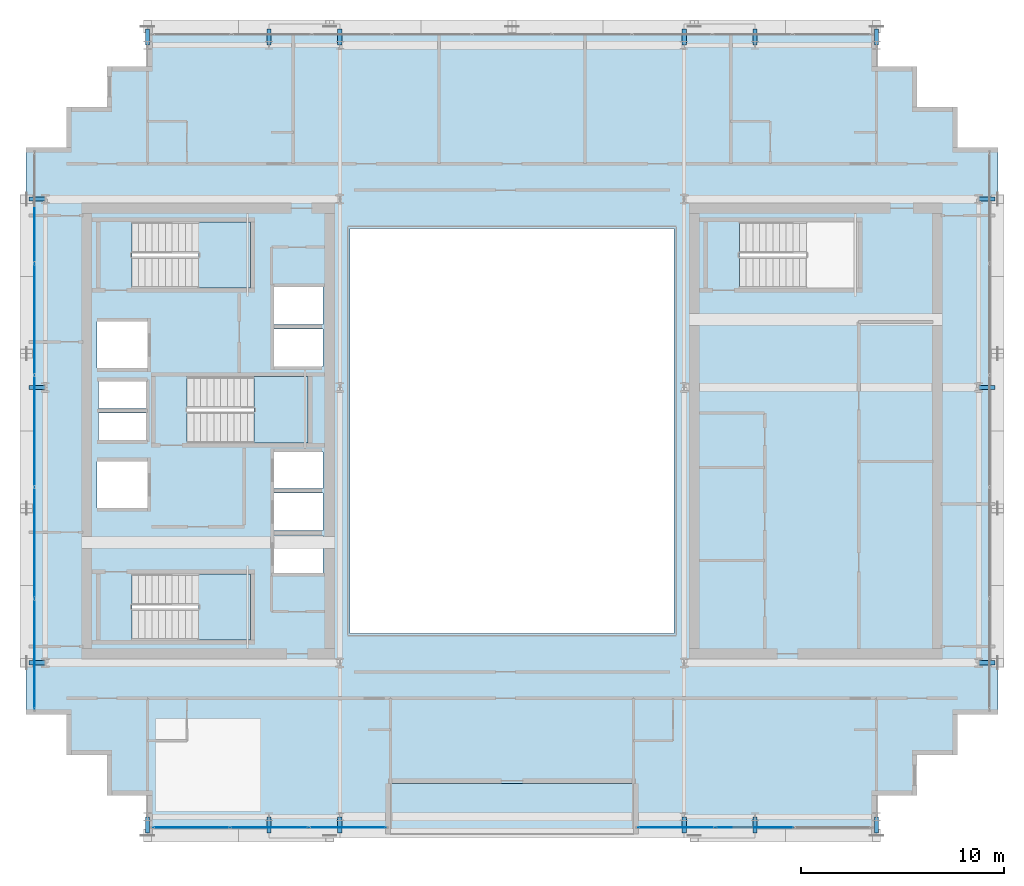
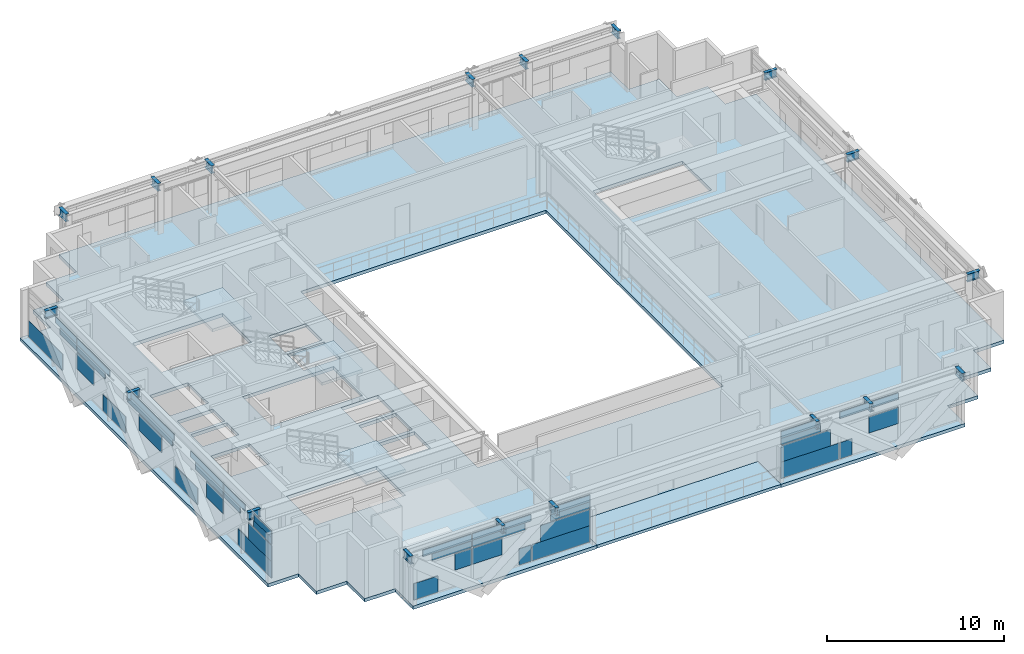
# One storey, part 20 of 31: 39 plates, 18 beams, 5 slabs, 6 elements without a shape of their own.
"""IFC4 building model written with IfcOpenShell, lengths in metres."""

import ifcopenshell
import ifcopenshell.guid

model = None  # the IFC model being written
_history = None  # IfcOwnerHistory: only IFC2X3 demands one
_inside = {}  # id of a spatial element -> (the spatial element, [elements in it])
_under = {}  # id of a project, library or spatial element -> (it, [spatial elements below it])
_declared = {}  # id of a project -> (the project, [libraries it declares])
_typed = {}  # id of a type object -> (the type object, [elements of that type])
_made_of = {}  # id of a material, layer set ... -> (it, [elements and type objects made of it])


def new_model(schema):
    """Start an empty IFC model of exactly this schema.

    Asked for "IFC4X3", IfcOpenShell would pick the latest addendum, in which some entities
    have other attributes; the version numbers below select the first issue.
    IFC2X3 requires an IfcOwnerHistory on every rooted entity: one is made here for all.
    """
    global model, _history
    if schema == "IFC4X3":
        model = ifcopenshell.file(schema_version=(4, 3, 0, 0))
    else:
        model = ifcopenshell.file(schema=schema)
    _inside.clear()
    _under.clear()
    _declared.clear()
    _typed.clear()
    _made_of.clear()
    _history = None
    if model.schema == "IFC2X3":
        org = make("IfcOrganization", Name="unknown")
        user = make(
            "IfcPersonAndOrganization",
            ThePerson=make("IfcPerson", FamilyName="unknown"),
            TheOrganization=org,
        )
        app = make(
            "IfcApplication",
            ApplicationDeveloper=org,
            Version="unknown",
            ApplicationFullName="unknown",
            ApplicationIdentifier="unknown",
        )
        _history = make(
            "IfcOwnerHistory",
            OwningUser=user,
            OwningApplication=app,
            ChangeAction="ADDED",
            CreationDate=0,
        )
    return model


def make(cls, **values):
    """One entity of the class cls with the attributes given. An attribute that is None is left unset."""
    return model.create_entity(
        cls, **{name: value for name, value in values.items() if value is not None}
    )


def rooted(cls, **values):
    """An entity with a GlobalId (a new one), such as an element, a storey or a relation."""
    return make(cls, GlobalId=ifcopenshell.guid.new(), OwnerHistory=_history, **values)


def si_unit(unit_type, name, prefix=None):
    """IfcSIUnit, for example si_unit("LENGTHUNIT", "METRE", prefix="MILLI")."""
    return make("IfcSIUnit", UnitType=unit_type, Prefix=prefix, Name=name)


def assignment(units):
    """IfcUnitAssignment: the units of a project."""
    return None if units is None else make("IfcUnitAssignment", Units=units)


def point(xyz):
    """IfcCartesianPoint."""
    return None if xyz is None else make("IfcCartesianPoint", Coordinates=xyz)


def direction(xyz):
    """IfcDirection."""
    return None if xyz is None else make("IfcDirection", DirectionRatios=xyz)


def frame(location, z_axis=None, x_axis=None):
    """IfcAxis2Placement3D, a coordinate frame: its origin and axes. An axis left out is left unset."""
    return make(
        "IfcAxis2Placement3D",
        Location=point(location),
        Axis=direction(z_axis),
        RefDirection=direction(x_axis),
    )


def frame_2d(location, x_axis=None):
    """IfcAxis2Placement2D, a coordinate frame in the plane: its origin and x axis."""
    return make(
        "IfcAxis2Placement2D", Location=point(location), RefDirection=direction(x_axis)
    )


def origin():
    """The frame at (0, 0, 0) with its axes left unset."""
    return frame((0.0, 0.0, 0.0))


def origin_2d():
    """The frame at (0, 0) in the plane with its x axis left unset."""
    return frame_2d((0.0, 0.0))


def place(relative_to, where):
    """IfcLocalPlacement: puts the frame where relative to a parent placement (None: the world)."""
    return make(
        "IfcLocalPlacement", PlacementRelTo=relative_to, RelativePlacement=where
    )


def context(
    kind, dimensions, precision=None, world=None, true_north=None, identifier=None
):
    """IfcGeometricRepresentationContext, for example the 3D "Model" context."""
    return make(
        "IfcGeometricRepresentationContext",
        ContextIdentifier=identifier,
        ContextType=kind,
        CoordinateSpaceDimension=dimensions,
        Precision=precision,
        WorldCoordinateSystem=world,
        TrueNorth=true_north,
    )


def subcontext(parent, identifier, kind, view, scale=None):
    """IfcGeometricRepresentationSubContext, for example "Body" below "Model"."""
    return make(
        "IfcGeometricRepresentationSubContext",
        ContextIdentifier=identifier,
        ContextType=kind,
        ParentContext=parent,
        TargetScale=scale,
        TargetView=view,
    )


def project(units=None, contexts=None):
    """IfcProject with its units and contexts."""
    return rooted(
        "IfcProject",
        Name="project",
        RepresentationContexts=contexts,
        UnitsInContext=assignment(units),
    )


def spatial(cls, under=None, at=None, **own):
    """A site, building, storey or space (cls), placed at a placement, below another one or the project."""
    s = rooted(cls, ObjectPlacement=at, **own)
    if under is not None:
        _under.setdefault(under.id(), (under, []))[1].append(s)
    return s


def polyline(points):
    """IfcPolyline through the points."""
    return make("IfcPolyline", Points=[point(p) for p in points])


def profile(cls, at=None, kind="AREA", **sizes):
    """A parametric profile (cls). Its sizes go by their IFC names, for example OverallWidth=200.0."""
    return make(cls, ProfileType=kind, Position=at, **sizes)


def rectangle(**sizes):
    """IfcRectangleProfileDef."""
    return profile("IfcRectangleProfileDef", **sizes)


def i_section(**sizes):
    """IfcIShapeProfileDef."""
    return profile("IfcIShapeProfileDef", **sizes)


def outline(outer, holes=None, kind="AREA"):
    """IfcArbitraryClosedProfileDef: a profile drawn as a closed curve; with holes, ...WithVoids."""
    if holes is None:
        return make("IfcArbitraryClosedProfileDef", ProfileType=kind, OuterCurve=outer)
    return make(
        "IfcArbitraryProfileDefWithVoids",
        ProfileType=kind,
        OuterCurve=outer,
        InnerCurves=holes,
    )


def extrude(swept, where, along, depth):
    """IfcExtrudedAreaSolid: the profile swept, set in the frame where, extruded along a direction by depth."""
    return make(
        "IfcExtrudedAreaSolid",
        SweptArea=swept,
        Position=where,
        ExtrudedDirection=direction(along),
        Depth=depth,
    )


def shape(context_of_items, identifier, shape_type, items):
    """IfcShapeRepresentation: the items that make up one representation, for example the "Body"."""
    return make(
        "IfcShapeRepresentation",
        ContextOfItems=context_of_items,
        RepresentationIdentifier=identifier,
        RepresentationType=shape_type,
        Items=items,
    )


def source(mapping_origin, context_of_items, identifier, shape_type, items):
    """IfcRepresentationMap: a shape defined once, which mapped items show again and again."""
    return make(
        "IfcRepresentationMap",
        MappingOrigin=mapping_origin,
        MappedRepresentation=shape(context_of_items, identifier, shape_type, items),
    )


def transform(
    local_origin,
    x_axis=None,
    y_axis=None,
    z_axis=None,
    scale=None,
    scale2=None,
    scale3=None,
    uniform=True,
):
    """IfcCartesianTransformationOperator3D, or its non-uniform kind. x_axis, y_axis, z_axis: its Axis1, 2, 3."""
    if uniform:
        return make(
            "IfcCartesianTransformationOperator3D",
            Axis1=direction(x_axis),
            Axis2=direction(y_axis),
            LocalOrigin=point(local_origin),
            Scale=scale,
            Axis3=direction(z_axis),
        )
    return make(
        "IfcCartesianTransformationOperator3DnonUniform",
        Axis1=direction(x_axis),
        Axis2=direction(y_axis),
        LocalOrigin=point(local_origin),
        Scale=scale,
        Axis3=direction(z_axis),
        Scale2=scale2,
        Scale3=scale3,
    )


def mapped(mapping_source, mapping_target):
    """IfcMappedItem: shows the shape of a source again, moved by a transform."""
    return make(
        "IfcMappedItem", MappingSource=mapping_source, MappingTarget=mapping_target
    )


def material(Name=None, Category=None):
    """IfcMaterial."""
    return make("IfcMaterial", Name=Name, Category=Category)


def layer(
    of_material, thickness, ventilated=None, Name=None, Category=None, Priority=None
):
    """IfcMaterialLayer: one layer of a wall or slab, of a material (None: an air gap)."""
    return make(
        "IfcMaterialLayer",
        Material=of_material,
        LayerThickness=thickness,
        IsVentilated=ventilated,
        Name=Name,
        Category=Category,
        Priority=Priority,
    )


def layer_set(layers, Name=None):
    """IfcMaterialLayerSet."""
    return make("IfcMaterialLayerSet", MaterialLayers=layers, LayerSetName=Name)


def material_profile(
    of_material, cross_section, Name=None, Category=None, Priority=None
):
    """IfcMaterialProfile: a cross section and its material."""
    return make(
        "IfcMaterialProfile",
        Name=Name,
        Material=of_material,
        Profile=cross_section,
        Priority=Priority,
        Category=Category,
    )


def profile_set(profiles, Name=None, composite=None):
    """IfcMaterialProfileSet."""
    return make(
        "IfcMaterialProfileSet",
        Name=Name,
        MaterialProfiles=profiles,
        CompositeProfile=composite,
    )


def made_of(thing, what):
    """Note that an element or type object is made of a material, layer set ...; save() writes the relation."""
    if what is not None:
        _made_of.setdefault(what.id(), (what, []))[1].append(thing)
    return thing


def type_object(cls, material=None, **own):
    """A type object (cls), such as IfcWallType, which elements share."""
    return made_of(rooted(cls, **own), material)


def element(
    cls,
    number,
    at=None,
    inside=None,
    cuts=None,
    type_object=None,
    material=None,
    context=None,
    identifier="Body",
    shape_type=None,
    held_by="IfcProductDefinitionShape",
    body=None,
    shapes=None,
    **own,
):
    """One element of the class cls, such as IfcWall. Its Tag is "e" and its number.

    at: its placement. inside: the storey or other place that contains it. cuts: it is an
    opening in that element (IfcRelVoidsElement). A single representation is given by context,
    identifier, shape_type and body (its items); several are given by shapes. held_by: the class
    of the entity that holds the representations. save() writes the other relations.
    """
    e = rooted(cls, Tag="e%d" % number, ObjectPlacement=at, **own)
    if body is not None:
        shapes = [shape(context, identifier, shape_type, body)]
    if shapes is not None:
        e.Representation = make(held_by, Representations=shapes)
    if inside is not None:
        _inside.setdefault(inside.id(), (inside, []))[1].append(e)
    if cuts is not None:
        rooted(
            "IfcRelVoidsElement", RelatingBuildingElement=cuts, RelatedOpeningElement=e
        )
    if type_object is not None:
        _typed.setdefault(type_object.id(), (type_object, []))[1].append(e)
    return made_of(e, material)


def aggregate(whole, parts):
    """IfcRelAggregates: a whole, such as a stair, and the parts it consists of."""
    return rooted("IfcRelAggregates", RelatingObject=whole, RelatedObjects=parts)


def save(model, path):
    """Write the relations noted so far, then the file.

    IfcRelAggregates (storeys below a building ...), IfcRelContainedInSpatialStructure (elements
    in a storey), IfcRelDefinesByType, IfcRelAssociatesMaterial and IfcRelDeclares: one each for
    every whole, place, type object, material and project.
    """
    for whole, parts in _under.values():
        aggregate(whole, parts)
    for where, things in _inside.values():
        rooted(
            "IfcRelContainedInSpatialStructure",
            RelatedElements=things,
            RelatingStructure=where,
        )
    for kind, things in _typed.values():
        rooted("IfcRelDefinesByType", RelatedObjects=things, RelatingType=kind)
    for what, things in _made_of.values():
        rooted("IfcRelAssociatesMaterial", RelatedObjects=things, RelatingMaterial=what)
    for by, libraries in _declared.values():
        rooted("IfcRelDeclares", RelatingContext=by, RelatedDefinitions=libraries)
    model.write(path)


model = new_model("IFC4")

# Units and contexts
model_context = context("Model", 3, precision=1e-05, world=origin(), true_north=direction((0.0, 1.0)))
body_context = subcontext(model_context, "Body", "Model", "MODEL_VIEW")
ifc_project = project(units=[si_unit("LENGTHUNIT", "METRE"), si_unit("AREAUNIT", "SQUARE_METRE"), si_unit("VOLUMEUNIT", "CUBIC_METRE"), si_unit("PLANEANGLEUNIT", "RADIAN"), si_unit("MASSUNIT", "GRAM", prefix="KILO")], contexts=[model_context])

# Site, building, storey
site_placement = place(None, origin())
site = spatial("IfcSite", under=ifc_project, at=site_placement, CompositionType="ELEMENT")
building_placement = place(site_placement, origin())
building = spatial("IfcBuilding", under=site, at=building_placement, Name="Ocotamira Hotel", CompositionType="ELEMENT")
storey_placement = place(building_placement, frame((0.0, 0.0, 199.199951171875)))
storey = spatial("IfcBuildingStorey", under=building, at=storey_placement, Name="L50", CompositionType="ELEMENT", Elevation=199.199951171875)

# Beams
ifc_material_1 = material(Name="Steel ASTM A992 Grade 50", Category="steel")
ifc_material_profile = material_profile(ifc_material_1, i_section(OverallWidth=0.2099609375, OverallDepth=0.537109375, WebThickness=0.010986328125, FlangeThickness=0.017333984375, FilletRadius=0.012939453125, at=origin_2d()), Name="W21X68")
ifc_profile_set = profile_set([ifc_material_profile], Name="Steel ASTM A992 Grade 50")
beam_type = type_object("IfcBeamType", Name="BM-SEC-W21X68", PredefinedType="JOIST", material=ifc_profile_set)
shared_shape_1 = source(origin(), body_context, "Body", "SweptSolid", [
    extrude(i_section(OverallWidth=0.2099609375, OverallDepth=0.537109375, WebThickness=0.010986328125, FlangeThickness=0.017333984375, FilletRadius=0.012939453125, at=origin_2d()), origin(), (0.0, 0.0, 1.0), 0.800048828125),
])
for number, where, z_axis, x_axis, name in (
    (1, (14.0, 6.949951171875, 3.1015625), (0.0, -1.0, 0.0), (1.0, 0.0, 0.0), "L50 South Edge Header X14"),
    (2, (14.0, 45.050048828125, 3.1015625), (0.0, 1.0, 0.0), (-1.0, 0.0, 0.0), "L50 North Edge Header X14"),
    (3, (20.0, 6.949951171875, 3.1015625), (0.0, -1.0, 0.0), (1.0, 0.0, 0.0), "L50 South Edge Header X20"),
    (4, (20.0, 45.050048828125, 3.1015625), (0.0, 1.0, 0.0), (-1.0, 0.0, 0.0), "L50 North Edge Header X20"),
    (5, (23.5, 6.949951171875, 3.1015625), (0.0, -1.0, 0.0), (1.0, 0.0, 0.0), "L50 South Edge Header X23.5"),
    (6, (23.5, 45.050048828125, 3.1015625), (0.0, 1.0, 0.0), (-1.0, 0.0, 0.0), "L50 North Edge Header X23.5"),
    (7, (40.5, 6.949951171875, 3.1015625), (0.0, -1.0, 0.0), (1.0, 0.0, 0.0), "L50 South Edge Header X40.5"),
    (8, (40.5, 45.050048828125, 3.1015625), (0.0, 1.0, 0.0), (-1.0, 0.0, 0.0), "L50 North Edge Header X40.5"),
    (9, (44.0, 6.949951171875, 3.1015625), (0.0, -1.0, 0.0), (1.0, 0.0, 0.0), "L50 South Edge Header X44"),
    (10, (44.0, 45.050048828125, 3.1015625), (0.0, 1.0, 0.0), (-1.0, 0.0, 0.0), "L50 North Edge Header X44"),
    (11, (50.0, 6.949951171875, 3.1015625), (0.0, -1.0, 0.0), (1.0, 0.0, 0.0), "L50 South Edge Header X50"),
    (12, (50.0, 45.050048828125, 3.1015625), (0.0, 1.0, 0.0), (-1.0, 0.0, 0.0), "L50 North Edge Header X50"),
    (13, (8.949951171875, 14.550048828125, 3.1015625), (-1.0, 0.0, 0.0), (0.0, -1.0, 0.0), "L50 West Edge Header Y14.55"),
    (14, (55.050048828125, 14.550048828125, 3.1015625), (1.0, 0.0, 0.0), (0.0, 1.0, 0.0), "L50 East Edge Header Y14.55"),
    (15, (8.949951171875, 28.14990234375, 3.1015625), (-1.0, 0.0, 0.0), (0.0, -1.0, 0.0), "L50 West Edge Header Y28.15"),
    (16, (55.050048828125, 28.14990234375, 3.1015625), (1.0, 0.0, 0.0), (0.0, 1.0, 0.0), "L50 East Edge Header Y28.15"),
    (17, (8.949951171875, 37.449951171875, 3.1015625), (-1.0, 0.0, 0.0), (0.0, -1.0, 0.0), "L50 West Edge Header Y37.45"),
    (18, (55.050048828125, 37.449951171875, 3.1015625), (1.0, 0.0, 0.0), (0.0, 1.0, 0.0), "L50 East Edge Header Y37.45"),
):
    element("IfcBeam", number, at=place(storey_placement, frame(where, z_axis=z_axis, x_axis=x_axis)), inside=storey, type_object=beam_type, Name=name, PredefinedType="JOIST", context=body_context, shape_type="MappedRepresentation", body=[
        mapped(shared_shape_1, transform((0.0, 0.0, 0.0), scale=1.0)),
    ])

# Slab
ifc_material_2 = material(Name="Concrete C40/50", Category="concrete")
ifc_layer_1 = layer(ifc_material_2, 0.199951171875)
ifc_layer_set_1 = layer_set([ifc_layer_1], Name="Concrete C40/50")
slab_type_1 = type_object("IfcSlabType", Name="SLB-BAL-200", PredefinedType="FLOOR", material=ifc_layer_set_1)
slab_1_placement = place(storey_placement, frame((0.0, 0.0, -0.199951171875)))
element("IfcSlab", 19, at=slab_1_placement, inside=storey, type_object=slab_type_1, Name="L50 Outdoor Sky Terrace Slab 1", PredefinedType="FLOOR", context=body_context, shape_type="SweptSolid", body=[
    extrude(outline(polyline([(26.0, 6.0), (38.0, 6.0), (38.0, 8.60009765625), (26.0, 8.60009765625), (26.0, 6.0)])), origin(), (0.0, 0.0, 1.0), 0.199951171875),
])

# Stair, slab
stair_type = type_object("IfcStairType", Name="ST-CORE-1560", PredefinedType="HALF_TURN_STAIR", material=ifc_material_2)
stair_1_placement = place(storey_placement, origin())
stair_1 = element("IfcStair", 20, at=stair_1_placement, inside=storey, type_object=stair_type, Name="L50 Exit Stair ST-1", PredefinedType="HALF_TURN_STAIR")
ifc_layer_2 = layer(ifc_material_2, 0.199951171875)
ifc_layer_set_2 = layer_set([ifc_layer_2], Name="Concrete C40/50")
slab_type_2 = type_object("IfcSlabType", Name="SLB-LAND-200", PredefinedType="LANDING", material=ifc_layer_set_2)
slab_2_placement = place(storey_placement, frame((0.0, 0.0, 1.60009765625)))
slab_2 = element("IfcSlab", 21, at=slab_2_placement, type_object=slab_type_2, Name="ST-1 landing 1", PredefinedType="LANDING", context=body_context, shape_type="SweptSolid", body=[
    extrude(outline(polyline([(16.530029296875, 15.669921875), (19.090087890625, 15.669921875), (19.090087890625, 18.949951171875), (16.530029296875, 18.949951171875), (16.530029296875, 15.669921875)])), origin(), (0.0, 0.0, 1.0), 0.199951171875),
])
aggregate(stair_1, [slab_2])

stair_2_placement = place(storey_placement, origin())
stair_2 = element("IfcStair", 22, at=stair_2_placement, inside=storey, type_object=stair_type, Name="L50 Exit Stair ST-2", PredefinedType="HALF_TURN_STAIR")
slab_3_placement = place(storey_placement, frame((0.0, 0.0, 1.60009765625)))
slab_3 = element("IfcSlab", 23, at=slab_3_placement, type_object=slab_type_2, Name="ST-2 landing 1", PredefinedType="LANDING", context=body_context, shape_type="SweptSolid", body=[
    extrude(outline(polyline([(16.530029296875, 33.050048828125), (19.090087890625, 33.050048828125), (19.090087890625, 36.330078125), (16.530029296875, 36.330078125), (16.530029296875, 33.050048828125)])), origin(), (0.0, 0.0, 1.0), 0.199951171875),
])
aggregate(stair_2, [slab_3])

stair_3_placement = place(storey_placement, origin())
stair_3 = element("IfcStair", 24, at=stair_3_placement, inside=storey, type_object=stair_type, Name="L50 Exit Stair ST-3", PredefinedType="HALF_TURN_STAIR")
slab_4_placement = place(storey_placement, frame((0.0, 0.0, 1.60009765625)))
slab_4 = element("IfcSlab", 25, at=slab_4_placement, type_object=slab_type_2, Name="ST-3 landing 1", PredefinedType="LANDING", context=body_context, shape_type="SweptSolid", body=[
    extrude(outline(polyline([(19.260009765625, 25.39990234375), (21.919921875, 25.39990234375), (21.919921875, 28.679931640625), (19.260009765625, 28.679931640625), (19.260009765625, 25.39990234375)])), origin(), (0.0, 0.0, 1.0), 0.199951171875),
])
aggregate(stair_3, [slab_4])

# Slab
ifc_layer_3 = layer(ifc_material_2, 0.22998046875)
ifc_layer_set_3 = layer_set([ifc_layer_3], Name="Concrete C40/50")
slab_type_3 = type_object("IfcSlabType", Name="SLB-Z3-230", PredefinedType="FLOOR", material=ifc_layer_set_3)
slab_5_placement = place(storey_placement, frame((0.0, 0.0, -0.22998046875)))
element("IfcSlab", 26, at=slab_5_placement, inside=storey, type_object=slab_type_3, Name="L50 Structural Floor Slab", PredefinedType="FLOOR", context=body_context, shape_type="SweptSolid", body=[
    extrude(outline(polyline([(14.0, 6.0), (14.0, 8.0), (12.0, 8.0), (12.0, 10.0), (10.0, 10.0), (10.0, 12.0), (8.0, 12.0), (8.0, 40.0), (10.0, 40.0), (10.0, 42.0), (12.0, 42.0), (12.0, 44.0), (14.0, 44.0), (14.0, 46.0), (50.0, 46.0), (50.0, 44.0), (52.0, 44.0), (52.0, 42.0), (54.0, 42.0), (54.0, 40.0), (56.0, 40.0), (56.0, 12.0), (54.0, 12.0), (54.0, 10.0), (52.0, 10.0), (52.0, 8.0), (50.0, 8.0), (50.0, 6.0), (38.0, 6.0), (38.0, 8.60009765625), (26.0, 8.60009765625), (26.0, 6.0), (14.0, 6.0)]), holes=[polyline([(24.0, 16.0), (40.0, 16.0), (40.0, 36.0), (24.0, 36.0), (24.0, 16.0)]), polyline([(13.22998046875, 15.669921875), (19.090087890625, 15.669921875), (19.090087890625, 18.949951171875), (13.22998046875, 18.949951171875), (13.22998046875, 15.669921875)]), polyline([(13.22998046875, 33.050048828125), (19.090087890625, 33.050048828125), (19.090087890625, 36.330078125), (13.22998046875, 36.330078125), (13.22998046875, 33.050048828125)]), polyline([(15.9599609375, 25.39990234375), (21.919921875, 25.39990234375), (21.919921875, 28.679931640625), (15.9599609375, 28.679931640625), (15.9599609375, 25.39990234375)]), polyline([(43.22998046875, 33.050048828125), (49.090087890625, 33.050048828125), (49.090087890625, 36.330078125), (43.22998046875, 36.330078125), (43.22998046875, 33.050048828125)]), polyline([(20.25, 19.0), (22.659912109375, 19.0), (22.659912109375, 20.85009765625), (20.25, 20.85009765625), (20.25, 19.0)]), polyline([(20.25, 21.080078125), (22.659912109375, 21.080078125), (22.659912109375, 22.929931640625), (20.25, 22.929931640625), (20.25, 21.080078125)]), polyline([(20.25, 23.159912109375), (22.659912109375, 23.159912109375), (22.659912109375, 24.9599609375), (20.25, 24.9599609375), (20.25, 23.159912109375)]), polyline([(20.25, 29.179931640625), (22.659912109375, 29.179931640625), (22.659912109375, 31.030029296875), (20.25, 31.030029296875), (20.25, 29.179931640625)]), polyline([(20.25, 31.260009765625), (22.659912109375, 31.260009765625), (22.659912109375, 33.110107421875), (20.25, 33.110107421875), (20.25, 31.260009765625)]), polyline([(11.5, 22.199951171875), (14.0, 22.199951171875), (14.0, 24.5), (11.5, 24.5), (11.5, 22.199951171875)]), polyline([(11.5, 29.10009765625), (14.0, 29.10009765625), (14.0, 31.39990234375), (11.5, 31.39990234375), (11.5, 29.10009765625)]), polyline([(11.580078125, 25.550048828125), (13.919921875, 25.550048828125), (13.919921875, 26.89990234375), (11.580078125, 26.89990234375), (11.580078125, 25.550048828125)]), polyline([(11.580078125, 27.10009765625), (13.919921875, 27.10009765625), (13.919921875, 28.449951171875), (11.580078125, 28.449951171875), (11.580078125, 27.10009765625)])]), origin(), (0.0, 0.0, 1.0), 0.22998046875),
])

# Curtain wall, plate
ifc_material_3 = material(Name="Anodised pale-metal aluminium and solar glass", Category="aluminium")
ifc_layer_4 = layer(ifc_material_3, 0.199951171875)
ifc_layer_set_4 = layer_set([ifc_layer_4], Name="Anodised pale-metal aluminium and solar glass")
curtain_wall_type = type_object("IfcCurtainWallType", Name="CW-SYS4-Z3", PredefinedType="NOTDEFINED", material=ifc_layer_set_4)
curtain_wall_1_placement = place(storey_placement, origin())
curtain_wall_1 = element("IfcCurtainWall", 27, at=curtain_wall_1_placement, inside=storey, type_object=curtain_wall_type, Name="L50 Curtain Wall CW-4 CW-L50-S1", PredefinedType="NOTDEFINED")
ifc_material_4 = material(Name="Double-silver low-E insulated solar glass", Category="glass")
ifc_layer_5 = layer(ifc_material_4, 0.031982421875)
ifc_layer_set_5 = layer_set([ifc_layer_5], Name="Double-silver low-E insulated solar glass")
plate_type = type_object("IfcPlateType", Name="CWP-VISION-32", PredefinedType="CURTAIN_PANEL", material=ifc_layer_set_5)
shared_shape_2 = source(origin(), body_context, "Body", "SweptSolid", [
    extrude(rectangle(XDim=1.5673828125, YDim=0.031982421875, at=origin_2d()), origin(), (0.0, 0.0, 1.0), 1.118896484375),
])
plate_1_placement = place(storey_placement, frame((15.063720703125, 6.419921875, 0.0751953125), z_axis=(0.0, 0.0, 1.0), x_axis=(1.0, 0.0, 0.0)))
plate_1 = element("IfcPlate", 28, at=plate_1_placement, type_object=plate_type, Name="CW-4 panel 1.1.1", PredefinedType="CURTAIN_PANEL", context=body_context, shape_type="MappedRepresentation", body=[
    mapped(shared_shape_2, transform((0.0, 0.0, 0.0), scale=1.0)),
])

# Curtain wall, plates
curtain_wall_2_placement = place(storey_placement, origin())
curtain_wall_2 = element("IfcCurtainWall", 29, at=curtain_wall_2_placement, inside=storey, type_object=curtain_wall_type, Name="L50 Curtain Wall CW-4 CW-L50-W", PredefinedType="NOTDEFINED")
shared_shape_3 = source(origin(), body_context, "Body", "SweptSolid", [
    extrude(rectangle(XDim=3.802001953125, YDim=0.031982421875, at=origin_2d()), origin(), (0.0, 0.0, 1.0), 1.118896484375),
])
plate_2_placement = place(storey_placement, frame((8.419921875, 14.180908203125, 0.0751953125), z_axis=(0.0, 0.0, 1.0), x_axis=(0.0, 1.0, 0.0)))
plate_2 = element("IfcPlate", 30, at=plate_2_placement, type_object=plate_type, Name="CW-4 panel 1.1.1", PredefinedType="CURTAIN_PANEL", context=body_context, shape_type="MappedRepresentation", body=[
    mapped(shared_shape_3, transform((0.0, 0.0, 0.0), scale=1.0)),
])
plate_3_placement = place(storey_placement, frame((8.419921875, 37.819091796875, 0.0751953125), z_axis=(0.0, 0.0, 1.0), x_axis=(0.0, 1.0, 0.0)))
plate_3 = element("IfcPlate", 31, at=plate_3_placement, type_object=plate_type, Name="CW-4 panel 5.1.1", PredefinedType="CURTAIN_PANEL", context=body_context, shape_type="MappedRepresentation", body=[
    mapped(shared_shape_3, transform((0.0, 0.0, 0.0), scale=1.0)),
])
shared_shape_4 = source(origin(), body_context, "Body", "SweptSolid", [
    extrude(rectangle(XDim=2.615966796875, YDim=0.031982421875, at=origin_2d()), origin(), (0.0, 0.0, 1.0), 1.11865234375),
])
plate_4_placement = place(storey_placement, frame((8.419921875, 13.587890625, 1.19384765625), z_axis=(0.0, 0.0, 1.0), x_axis=(0.0, 1.0, 0.0)))
plate_4 = element("IfcPlate", 32, at=plate_4_placement, type_object=plate_type, Name="CW-4 panel 1.1.2", PredefinedType="CURTAIN_PANEL", context=body_context, shape_type="MappedRepresentation", body=[
    mapped(shared_shape_4, transform((0.0, 0.0, 0.0), scale=1.0)),
])
shared_shape_5 = source(origin(), body_context, "Body", "SweptSolid", [
    extrude(rectangle(XDim=2.048095703125, YDim=0.031982421875, at=origin_2d()), origin(), (0.0, 0.0, 1.0), 0.460693359375),
])
plate_5_placement = place(storey_placement, frame((8.419921875, 13.303955078125, 2.3876953125), z_axis=(0.0, 0.0, 1.0), x_axis=(0.0, 1.0, 0.0)))
plate_5 = element("IfcPlate", 33, at=plate_5_placement, type_object=plate_type, Name="CW-4 panel 1.2.1", PredefinedType="CURTAIN_PANEL", context=body_context, shape_type="MappedRepresentation", body=[
    mapped(shared_shape_5, transform((0.0, 0.0, 0.0), scale=1.0)),
])
shared_shape_6 = source(origin(), body_context, "Body", "SweptSolid", [
    extrude(rectangle(XDim=2.01171875, YDim=0.031982421875, at=origin_2d()), origin(), (0.0, 0.0, 1.0), 0.44677734375),
])
plate_6_placement = place(storey_placement, frame((8.419921875, 13.285888671875, 2.84814453125), z_axis=(0.0, 0.0, 1.0), x_axis=(0.0, 1.0, 0.0)))
plate_6 = element("IfcPlate", 34, at=plate_6_placement, type_object=plate_type, Name="CW-4 panel 1.2.2", PredefinedType="CURTAIN_PANEL", context=body_context, shape_type="MappedRepresentation", body=[
    mapped(shared_shape_6, transform((0.0, 0.0, 0.0), scale=1.0)),
])
shared_shape_7 = source(origin(), body_context, "Body", "SweptSolid", [
    extrude(rectangle(XDim=2.3681640625, YDim=0.031982421875, at=origin_2d()), origin(), (0.0, 0.0, 1.0), 0.41259765625),
])
plate_7_placement = place(storey_placement, frame((8.419921875, 16.495849609375, 2.882568359375), z_axis=(0.0, 0.0, 1.0), x_axis=(0.0, 1.0, 0.0)))
plate_7 = element("IfcPlate", 35, at=plate_7_placement, type_object=plate_type, Name="CW-4 panel 1.2.3", PredefinedType="CURTAIN_PANEL", context=body_context, shape_type="MappedRepresentation", body=[
    mapped(shared_shape_7, transform((0.0, 0.0, 0.0), scale=1.0)),
])
plate_8_placement = place(storey_placement, frame((8.419921875, 35.504150390625, 2.882568359375), z_axis=(0.0, 0.0, 1.0), x_axis=(0.0, 1.0, 0.0)))
plate_8 = element("IfcPlate", 36, at=plate_8_placement, type_object=plate_type, Name="CW-4 panel 5.2.2", PredefinedType="CURTAIN_PANEL", context=body_context, shape_type="MappedRepresentation", body=[
    mapped(shared_shape_7, transform((0.0, 0.0, 0.0), scale=1.0)),
])
shared_shape_8 = source(origin(), body_context, "Body", "SweptSolid", [
    extrude(rectangle(XDim=1.84326171875, YDim=0.031982421875, at=origin_2d()), origin(), (0.0, 0.0, 1.0), 0.460693359375),
])
plate_9_placement = place(storey_placement, frame((8.419921875, 16.75830078125, 2.3876953125), z_axis=(0.0, 0.0, 1.0), x_axis=(0.0, 1.0, 0.0)))
plate_9 = element("IfcPlate", 37, at=plate_9_placement, type_object=plate_type, Name="CW-4 panel 1.2.4", PredefinedType="CURTAIN_PANEL", context=body_context, shape_type="MappedRepresentation", body=[
    mapped(shared_shape_8, transform((0.0, 0.0, 0.0), scale=1.0)),
])
plate_10_placement = place(storey_placement, frame((8.419921875, 35.24169921875, 2.3876953125), z_axis=(0.0, 0.0, 1.0), x_axis=(0.0, 1.0, 0.0)))
plate_10 = element("IfcPlate", 38, at=plate_10_placement, type_object=plate_type, Name="CW-4 panel 5.2.1", PredefinedType="CURTAIN_PANEL", context=body_context, shape_type="MappedRepresentation", body=[
    mapped(shared_shape_8, transform((0.0, 0.0, 0.0), scale=1.0)),
])
shared_shape_9 = source(origin(), body_context, "Body", "SweptSolid", [
    extrude(rectangle(XDim=1.87109375, YDim=0.031982421875, at=origin_2d()), origin(), (0.0, 0.0, 1.0), 1.11865234375),
])
plate_11_placement = place(storey_placement, frame((8.419921875, 18.695556640625, 1.19384765625), z_axis=(0.0, 0.0, 1.0), x_axis=(0.0, 1.0, 0.0)))
plate_11 = element("IfcPlate", 39, at=plate_11_placement, type_object=plate_type, Name="CW-4 panel 2.1.1", PredefinedType="CURTAIN_PANEL", context=body_context, shape_type="MappedRepresentation", body=[
    mapped(shared_shape_9, transform((0.0, 0.0, 0.0), scale=1.0)),
])
plate_12_placement = place(storey_placement, frame((8.419921875, 33.304443359375, 1.19384765625), z_axis=(0.0, 0.0, 1.0), x_axis=(0.0, 1.0, 0.0)))
plate_12 = element("IfcPlate", 40, at=plate_12_placement, type_object=plate_type, Name="CW-4 panel 4.1.2", PredefinedType="CURTAIN_PANEL", context=body_context, shape_type="MappedRepresentation", body=[
    mapped(shared_shape_9, transform((0.0, 0.0, 0.0), scale=1.0)),
])
shared_shape_10 = source(origin(), body_context, "Body", "SweptSolid", [
    extrude(rectangle(XDim=2.548828125, YDim=0.031982421875, at=origin_2d()), origin(), (0.0, 0.0, 1.0), 1.118896484375),
])
plate_13_placement = place(storey_placement, frame((8.419921875, 21.925537109375, 0.0751953125), z_axis=(0.0, 0.0, 1.0), x_axis=(0.0, 1.0, 0.0)))
plate_13 = element("IfcPlate", 41, at=plate_13_placement, type_object=plate_type, Name="CW-4 panel 2.1.2", PredefinedType="CURTAIN_PANEL", context=body_context, shape_type="MappedRepresentation", body=[
    mapped(shared_shape_10, transform((0.0, 0.0, 0.0), scale=1.0)),
])
plate_14_placement = place(storey_placement, frame((8.419921875, 30.074462890625, 0.0751953125), z_axis=(0.0, 0.0, 1.0), x_axis=(0.0, 1.0, 0.0)))
plate_14 = element("IfcPlate", 42, at=plate_14_placement, type_object=plate_type, Name="CW-4 panel 4.1.1", PredefinedType="CURTAIN_PANEL", context=body_context, shape_type="MappedRepresentation", body=[
    mapped(shared_shape_10, transform((0.0, 0.0, 0.0), scale=1.0)),
])
shared_shape_11 = source(origin(), body_context, "Body", "SweptSolid", [
    extrude(rectangle(XDim=3.13671875, YDim=0.031982421875, at=origin_2d()), origin(), (0.0, 0.0, 1.0), 0.460693359375),
])
plate_15_placement = place(storey_placement, frame((8.419921875, 19.328369140625, 2.3876953125), z_axis=(0.0, 0.0, 1.0), x_axis=(0.0, 1.0, 0.0)))
plate_15 = element("IfcPlate", 43, at=plate_15_placement, type_object=plate_type, Name="CW-4 panel 2.2.1", PredefinedType="CURTAIN_PANEL", context=body_context, shape_type="MappedRepresentation", body=[
    mapped(shared_shape_11, transform((0.0, 0.0, 0.0), scale=1.0)),
])
plate_16_placement = place(storey_placement, frame((8.419921875, 32.671630859375, 2.3876953125), z_axis=(0.0, 0.0, 1.0), x_axis=(0.0, 1.0, 0.0)))
plate_16 = element("IfcPlate", 44, at=plate_16_placement, type_object=plate_type, Name="CW-4 panel 4.2.2", PredefinedType="CURTAIN_PANEL", context=body_context, shape_type="MappedRepresentation", body=[
    mapped(shared_shape_11, transform((0.0, 0.0, 0.0), scale=1.0)),
])
shared_shape_12 = source(origin(), body_context, "Body", "SweptSolid", [
    extrude(rectangle(XDim=3.66162109375, YDim=0.031982421875, at=origin_2d()), origin(), (0.0, 0.0, 1.0), 0.41259765625),
])
plate_17_placement = place(storey_placement, frame((8.419921875, 19.5908203125, 2.882568359375), z_axis=(0.0, 0.0, 1.0), x_axis=(0.0, 1.0, 0.0)))
plate_17 = element("IfcPlate", 45, at=plate_17_placement, type_object=plate_type, Name="CW-4 panel 2.2.2", PredefinedType="CURTAIN_PANEL", context=body_context, shape_type="MappedRepresentation", body=[
    mapped(shared_shape_12, transform((0.0, 0.0, 0.0), scale=1.0)),
])
plate_18_placement = place(storey_placement, frame((8.419921875, 32.4091796875, 2.882568359375), z_axis=(0.0, 0.0, 1.0), x_axis=(0.0, 1.0, 0.0)))
plate_18 = element("IfcPlate", 46, at=plate_18_placement, type_object=plate_type, Name="CW-4 panel 4.2.1", PredefinedType="CURTAIN_PANEL", context=body_context, shape_type="MappedRepresentation", body=[
    mapped(shared_shape_12, transform((0.0, 0.0, 0.0), scale=1.0)),
])
shared_shape_13 = source(origin(), body_context, "Body", "SweptSolid", [
    extrude(rectangle(XDim=2.52880859375, YDim=0.031982421875, at=origin_2d()), origin(), (0.0, 0.0, 1.0), 1.11865234375),
])
plate_19_placement = place(storey_placement, frame((8.419921875, 26.0, 1.19384765625), z_axis=(0.0, 0.0, 1.0), x_axis=(0.0, 1.0, 0.0)))
plate_19 = element("IfcPlate", 47, at=plate_19_placement, type_object=plate_type, Name="CW-4 panel 3.1.1", PredefinedType="CURTAIN_PANEL", context=body_context, shape_type="MappedRepresentation", body=[
    mapped(shared_shape_13, transform((0.0, 0.0, 0.0), scale=1.0)),
])
shared_shape_14 = source(origin(), body_context, "Body", "SweptSolid", [
    extrude(rectangle(XDim=5.43994140625, YDim=0.031982421875, at=origin_2d()), origin(), (0.0, 0.0, 1.0), 0.41259765625),
])
plate_20_placement = place(storey_placement, frame((8.419921875, 26.0, 2.882568359375), z_axis=(0.0, 0.0, 1.0), x_axis=(0.0, 1.0, 0.0)))
plate_20 = element("IfcPlate", 48, at=plate_20_placement, type_object=plate_type, Name="CW-4 panel 3.2.1", PredefinedType="CURTAIN_PANEL", context=body_context, shape_type="MappedRepresentation", body=[
    mapped(shared_shape_14, transform((0.0, 0.0, 0.0), scale=1.0)),
])
shared_shape_15 = source(origin(), body_context, "Body", "SweptSolid", [
    extrude(rectangle(XDim=5.06005859375, YDim=0.031982421875, at=origin_2d()), origin(), (0.0, 0.0, 1.0), 0.4951171875),
])
plate_21_placement = place(storey_placement, frame((8.419921875, 26.0, 2.387451171875), z_axis=(0.0, 0.0, 1.0), x_axis=(0.0, 1.0, 0.0)))
plate_21 = element("IfcPlate", 49, at=plate_21_placement, type_object=plate_type, Name="CW-4 panel 3.2.2", PredefinedType="CURTAIN_PANEL", context=body_context, shape_type="MappedRepresentation", body=[
    mapped(shared_shape_15, transform((0.0, 0.0, 0.0), scale=1.0)),
])
aggregate(curtain_wall_2, [plate_2, plate_4, plate_5, plate_6, plate_7, plate_9, plate_11, plate_13, plate_15, plate_17, plate_19, plate_20, plate_21, plate_14, plate_12, plate_18, plate_16, plate_3, plate_10, plate_8])

# Plate
shared_shape_16 = source(origin(), body_context, "Body", "SweptSolid", [
    extrude(rectangle(XDim=3.76318359375, YDim=0.031982421875, at=origin_2d()), origin(), (0.0, 0.0, 1.0), 1.118896484375),
])
plate_22_placement = place(storey_placement, frame((23.88818359375, 6.419921875, 0.0751953125), z_axis=(0.0, 0.0, 1.0), x_axis=(1.0, 0.0, 0.0)))
plate_22 = element("IfcPlate", 50, at=plate_22_placement, type_object=plate_type, Name="CW-4 panel 3.1.1", PredefinedType="CURTAIN_PANEL", context=body_context, shape_type="MappedRepresentation", body=[
    mapped(shared_shape_16, transform((0.0, 0.0, 0.0), scale=1.0)),
])

# Curtain wall, plate
curtain_wall_3_placement = place(storey_placement, origin())
curtain_wall_3 = element("IfcCurtainWall", 51, at=curtain_wall_3_placement, inside=storey, type_object=curtain_wall_type, Name="L50 Curtain Wall CW-4 CW-L50-S2", PredefinedType="NOTDEFINED")
plate_23_placement = place(storey_placement, frame((40.11181640625, 6.419921875, 0.0751953125), z_axis=(0.0, 0.0, 1.0), x_axis=(1.0, 0.0, 0.0)))
plate_23 = element("IfcPlate", 52, at=plate_23_placement, type_object=plate_type, Name="CW-4 panel 1.1.1", PredefinedType="CURTAIN_PANEL", context=body_context, shape_type="MappedRepresentation", body=[
    mapped(shared_shape_16, transform((0.0, 0.0, 0.0), scale=1.0)),
])

# Plate
shared_shape_17 = source(origin(), body_context, "Body", "SweptSolid", [
    extrude(rectangle(XDim=3.160888671875, YDim=0.031982421875, at=origin_2d()), origin(), (0.0, 0.0, 1.0), 0.4326171875),
])
plate_24_placement = place(storey_placement, frame((16.462890625, 6.419921875, 2.862548828125), z_axis=(0.0, 0.0, 1.0), x_axis=(1.0, 0.0, 0.0)))
plate_24 = element("IfcPlate", 53, at=plate_24_placement, type_object=plate_type, Name="CW-4 panel 1.2.1", PredefinedType="CURTAIN_PANEL", context=body_context, shape_type="MappedRepresentation", body=[
    mapped(shared_shape_17, transform((0.0, 0.0, 0.0), scale=1.0)),
])

shared_shape_18 = source(origin(), body_context, "Body", "SweptSolid", [
    extrude(rectangle(XDim=2.5673828125, YDim=0.031982421875, at=origin_2d()), origin(), (0.0, 0.0, 1.0), 0.443603515625),
])
plate_25_placement = place(storey_placement, frame((16.759521484375, 6.419921875, 2.3876953125), z_axis=(0.0, 0.0, 1.0), x_axis=(1.0, 0.0, 0.0)))
plate_25 = element("IfcPlate", 54, at=plate_25_placement, type_object=plate_type, Name="CW-4 panel 1.2.2", PredefinedType="CURTAIN_PANEL", context=body_context, shape_type="MappedRepresentation", body=[
    mapped(shared_shape_18, transform((0.0, 0.0, 0.0), scale=1.0)),
])

shared_shape_19 = source(origin(), body_context, "Body", "SweptSolid", [
    extrude(rectangle(XDim=0.774169921875, YDim=0.031982421875, at=origin_2d()), origin(), (0.0, 0.0, 1.0), 1.118896484375),
])
plate_26_placement = place(storey_placement, frame((21.53955078125, 6.419921875, 0.0751953125), z_axis=(0.0, 0.0, 1.0), x_axis=(1.0, 0.0, 0.0)))
plate_26 = element("IfcPlate", 55, at=plate_26_placement, type_object=plate_type, Name="CW-4 panel 2.1.2", PredefinedType="CURTAIN_PANEL", context=body_context, shape_type="MappedRepresentation", body=[
    mapped(shared_shape_19, transform((0.0, 0.0, 0.0), scale=1.0)),
])

plate_27_placement = place(storey_placement, frame((42.46044921875, 6.419921875, 0.0751953125), z_axis=(0.0, 0.0, 1.0), x_axis=(1.0, 0.0, 0.0)))
plate_27 = element("IfcPlate", 56, at=plate_27_placement, type_object=plate_type, Name="CW-4 panel 2.1.1", PredefinedType="CURTAIN_PANEL", context=body_context, shape_type="MappedRepresentation", body=[
    mapped(shared_shape_19, transform((0.0, 0.0, 0.0), scale=1.0)),
])

shared_shape_20 = source(origin(), body_context, "Body", "SweptSolid", [
    extrude(rectangle(XDim=3.40087890625, YDim=0.031982421875, at=origin_2d()), origin(), (0.0, 0.0, 1.0), 0.474853515625),
])
plate_28_placement = place(storey_placement, frame((19.82373046875, 6.419921875, 2.3876953125), z_axis=(0.0, 0.0, 1.0), x_axis=(1.0, 0.0, 0.0)))
plate_28 = element("IfcPlate", 57, at=plate_28_placement, type_object=plate_type, Name="CW-4 panel 2.2.1", PredefinedType="CURTAIN_PANEL", context=body_context, shape_type="MappedRepresentation", body=[
    mapped(shared_shape_20, transform((0.0, 0.0, 0.0), scale=1.0)),
])

shared_shape_21 = source(origin(), body_context, "Body", "SweptSolid", [
    extrude(rectangle(XDim=3.80322265625, YDim=0.031982421875, at=origin_2d()), origin(), (0.0, 0.0, 1.0), 0.4326171875),
])
plate_29_placement = place(storey_placement, frame((20.02490234375, 6.419921875, 2.862548828125), z_axis=(0.0, 0.0, 1.0), x_axis=(1.0, 0.0, 0.0)))
plate_29 = element("IfcPlate", 58, at=plate_29_placement, type_object=plate_type, Name="CW-4 panel 2.2.2", PredefinedType="CURTAIN_PANEL", context=body_context, shape_type="MappedRepresentation", body=[
    mapped(shared_shape_21, transform((0.0, 0.0, 0.0), scale=1.0)),
])

plate_30_placement = place(storey_placement, frame((43.97509765625, 6.419921875, 2.862548828125), z_axis=(0.0, 0.0, 1.0), x_axis=(1.0, 0.0, 0.0)))
plate_30 = element("IfcPlate", 59, at=plate_30_placement, type_object=plate_type, Name="CW-4 panel 2.2.1", PredefinedType="CURTAIN_PANEL", context=body_context, shape_type="MappedRepresentation", body=[
    mapped(shared_shape_21, transform((0.0, 0.0, 0.0), scale=1.0)),
])

shared_shape_22 = source(origin(), body_context, "Body", "SweptSolid", [
    extrude(rectangle(XDim=2.57080078125, YDim=0.031982421875, at=origin_2d()), origin(), (0.0, 0.0, 1.0), 0.443603515625),
])
plate_31_placement = place(storey_placement, frame((24.484619140625, 6.419921875, 2.3876953125), z_axis=(0.0, 0.0, 1.0), x_axis=(1.0, 0.0, 0.0)))
plate_31 = element("IfcPlate", 60, at=plate_31_placement, type_object=plate_type, Name="CW-4 panel 3.2.1", PredefinedType="CURTAIN_PANEL", context=body_context, shape_type="MappedRepresentation", body=[
    mapped(shared_shape_22, transform((0.0, 0.0, 0.0), scale=1.0)),
])

plate_32_placement = place(storey_placement, frame((39.515380859375, 6.419921875, 2.3876953125), z_axis=(0.0, 0.0, 1.0), x_axis=(1.0, 0.0, 0.0)))
plate_32 = element("IfcPlate", 61, at=plate_32_placement, type_object=plate_type, Name="CW-4 panel 1.2.1", PredefinedType="CURTAIN_PANEL", context=body_context, shape_type="MappedRepresentation", body=[
    mapped(shared_shape_22, transform((0.0, 0.0, 0.0), scale=1.0)),
])

shared_shape_23 = source(origin(), body_context, "Body", "SweptSolid", [
    extrude(rectangle(XDim=2.53173828125, YDim=0.031982421875, at=origin_2d()), origin(), (0.0, 0.0, 1.0), 0.4638671875),
])
plate_33_placement = place(storey_placement, frame((24.504150390625, 6.419921875, 2.8310546875), z_axis=(0.0, 0.0, 1.0), x_axis=(1.0, 0.0, 0.0)))
plate_33 = element("IfcPlate", 62, at=plate_33_placement, type_object=plate_type, Name="CW-4 panel 3.2.2", PredefinedType="CURTAIN_PANEL", context=body_context, shape_type="MappedRepresentation", body=[
    mapped(shared_shape_23, transform((0.0, 0.0, 0.0), scale=1.0)),
])

plate_34_placement = place(storey_placement, frame((39.495849609375, 6.419921875, 2.8310546875), z_axis=(0.0, 0.0, 1.0), x_axis=(1.0, 0.0, 0.0)))
plate_34 = element("IfcPlate", 63, at=plate_34_placement, type_object=plate_type, Name="CW-4 panel 1.2.2", PredefinedType="CURTAIN_PANEL", context=body_context, shape_type="MappedRepresentation", body=[
    mapped(shared_shape_23, transform((0.0, 0.0, 0.0), scale=1.0)),
])

shared_shape_24 = source(origin(), body_context, "Body", "SweptSolid", [
    extrude(rectangle(XDim=1.0751953125, YDim=0.031982421875, at=origin_2d()), origin(), (0.0, 0.0, 1.0), 1.11865234375),
])
plate_35_placement = place(storey_placement, frame((17.505615234375, 6.419921875, 1.19384765625), z_axis=(0.0, 0.0, 1.0), x_axis=(1.0, 0.0, 0.0)))
plate_35 = element("IfcPlate", 64, at=plate_35_placement, type_object=plate_type, Name="CW-4 panel 1.1.2", PredefinedType="CURTAIN_PANEL", context=body_context, shape_type="MappedRepresentation", body=[
    mapped(shared_shape_24, transform((0.0, 0.0, 0.0), scale=1.0)),
])

shared_shape_25 = source(origin(), body_context, "Body", "SweptSolid", [
    extrude(rectangle(XDim=1.90869140625, YDim=0.031982421875, at=origin_2d()), origin(), (0.0, 0.0, 1.0), 1.11865234375),
])
plate_36_placement = place(storey_placement, frame((19.07763671875, 6.419921875, 1.19384765625), z_axis=(0.0, 0.0, 1.0), x_axis=(1.0, 0.0, 0.0)))
plate_36 = element("IfcPlate", 65, at=plate_36_placement, type_object=plate_type, Name="CW-4 panel 2.1.1", PredefinedType="CURTAIN_PANEL", context=body_context, shape_type="MappedRepresentation", body=[
    mapped(shared_shape_25, transform((0.0, 0.0, 0.0), scale=1.0)),
])

plate_37_placement = place(storey_placement, frame((44.92236328125, 6.419921875, 1.19384765625), z_axis=(0.0, 0.0, 1.0), x_axis=(1.0, 0.0, 0.0)))
plate_37 = element("IfcPlate", 66, at=plate_37_placement, type_object=plate_type, Name="CW-4 panel 2.1.2", PredefinedType="CURTAIN_PANEL", context=body_context, shape_type="MappedRepresentation", body=[
    mapped(shared_shape_25, transform((0.0, 0.0, 0.0), scale=1.0)),
])

shared_shape_26 = source(origin(), body_context, "Body", "SweptSolid", [
    extrude(rectangle(XDim=3.218994140625, YDim=0.031982421875, at=origin_2d()), origin(), (0.0, 0.0, 1.0), 1.11865234375),
])
plate_38_placement = place(storey_placement, frame((24.160400390625, 6.419921875, 1.19384765625), z_axis=(0.0, 0.0, 1.0), x_axis=(1.0, 0.0, 0.0)))
plate_38 = element("IfcPlate", 67, at=plate_38_placement, type_object=plate_type, Name="CW-4 panel 3.1.2", PredefinedType="CURTAIN_PANEL", context=body_context, shape_type="MappedRepresentation", body=[
    mapped(shared_shape_26, transform((0.0, 0.0, 0.0), scale=1.0)),
])

aggregate(curtain_wall_1, [plate_1, plate_35, plate_24, plate_25, plate_36, plate_26, plate_28, plate_29, plate_22, plate_38, plate_31, plate_33])

plate_39_placement = place(storey_placement, frame((39.839599609375, 6.419921875, 1.19384765625), z_axis=(0.0, 0.0, 1.0), x_axis=(1.0, 0.0, 0.0)))
plate_39 = element("IfcPlate", 68, at=plate_39_placement, type_object=plate_type, Name="CW-4 panel 1.1.2", PredefinedType="CURTAIN_PANEL", context=body_context, shape_type="MappedRepresentation", body=[
    mapped(shared_shape_26, transform((0.0, 0.0, 0.0), scale=1.0)),
])

aggregate(curtain_wall_3, [plate_23, plate_39, plate_32, plate_34, plate_27, plate_37, plate_30])

save(model, "model.ifc")
